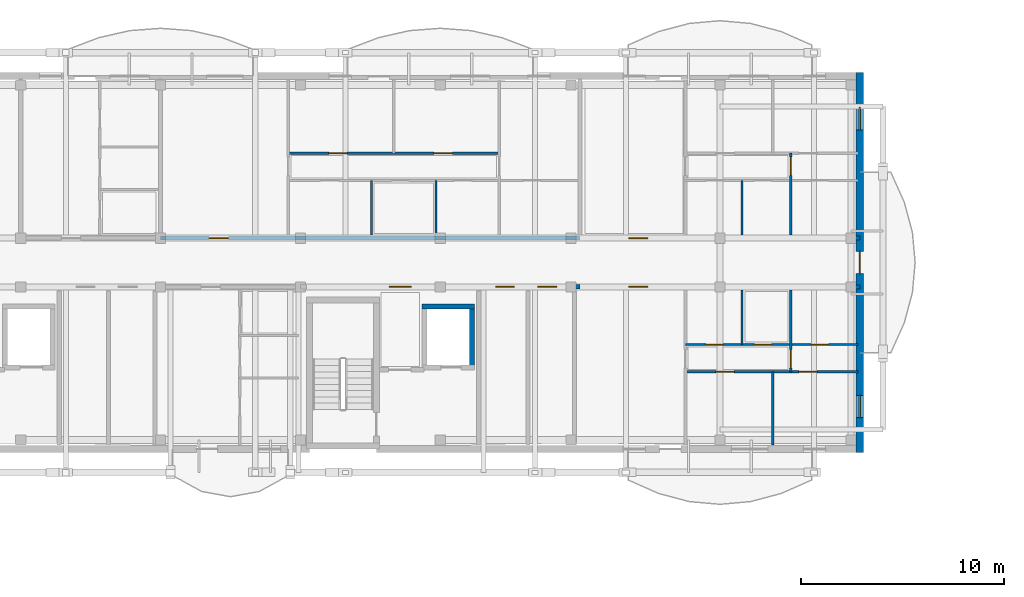
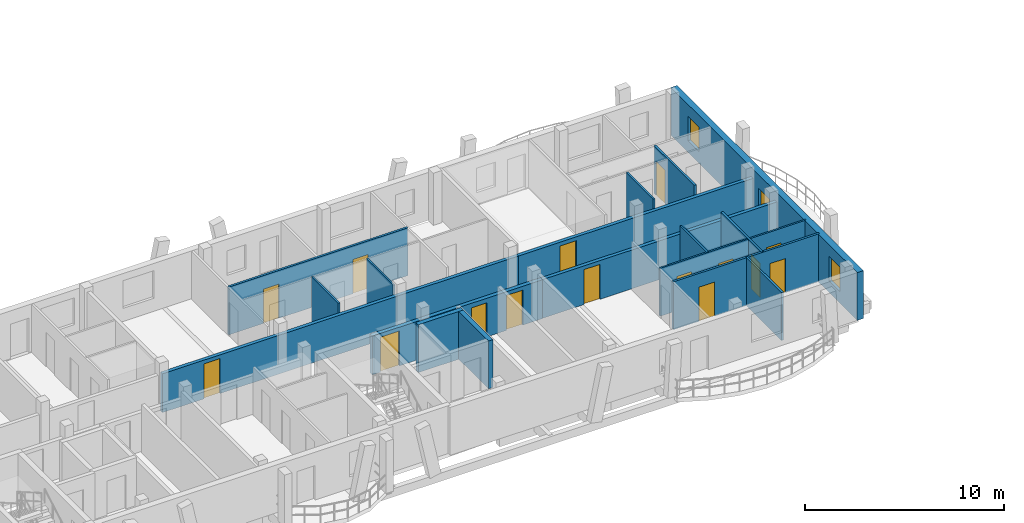
# One storey, part 27 of 50: 17 walls, 16 doors, 2 windows, 18 openings.
"""IFC4 building model written with IfcOpenShell, lengths in metres."""

from ifc_helpers import new_model, si_unit, direction, frame, frame_2d, origin, origin_with_axes, place, context, subcontext, project, spatial, rectangle, extrude, material, layer, layer_set, type_object, element, fill, save


model = new_model("IFC4")

# Units and contexts
model_context = context("Model", 3, precision=1e-05, world=origin(), true_north=direction((0.0, 1.0)))
body_context = subcontext(model_context, "Body", "Model", "MODEL_VIEW")
ifc_project = project(units=[si_unit("LENGTHUNIT", "METRE"), si_unit("AREAUNIT", "SQUARE_METRE"), si_unit("VOLUMEUNIT", "CUBIC_METRE"), si_unit("PLANEANGLEUNIT", "RADIAN"), si_unit("MASSUNIT", "GRAM", prefix="KILO")], contexts=[model_context])

# Site, building, storey
site_placement = place(None, origin())
site = spatial("IfcSite", under=ifc_project, at=site_placement, CompositionType="ELEMENT")
building_placement = place(site_placement, origin())
building = spatial("IfcBuilding", under=site, at=building_placement, Name="Zavelmont Quarter", CompositionType="ELEMENT")
storey_placement = place(building_placement, frame((0.0, 0.0, 11.199951171875)))
storey = spatial("IfcBuildingStorey", under=building, at=storey_placement, Name="L03", CompositionType="ELEMENT", Elevation=11.199951171875)

# Wall, openings, door, windows
ifc_material_1 = material(Name="Natural Belgian limestone", Category="masonry")
ifc_layer_1 = layer(ifc_material_1, 0.360107421875)
ifc_layer_set_1 = layer_set([ifc_layer_1], Name="Natural Belgian limestone")
wall_type_1 = type_object("IfcWallType", Name="EW02", PredefinedType="STANDARD", material=ifc_layer_set_1)
wall_1_placement = place(storey_placement, frame((55.199951171875, 97.419921875, 0.0), z_axis=(0.0, 0.0, 1.0), x_axis=(0.0, 1.0, 0.0)))
wall_1 = element("IfcWall", 1, at=wall_1_placement, inside=storey, type_object=wall_type_1, Name="L03 exterior limestone wall EW02", PredefinedType="STANDARD", context=body_context, shape_type="SweptSolid", body=[
    extrude(rectangle(XDim=18.760009765625, YDim=0.360107421875, at=frame_2d((9.3798828125, 0.0))), origin(), (0.0, 0.0, 1.0), 2.93994140625),
])
opening_1_placement = place(wall_1_placement, frame((8.830078125, 0.0, 0.0)))
opening_1 = element("IfcOpeningElement", 2, at=opening_1_placement, cuts=wall_1, Name="Opening DR04B", PredefinedType="OPENING", context=body_context, shape_type="SweptSolid", body=[
    extrude(rectangle(XDim=1.10009765625, YDim=2.10009765625, at=frame_2d((0.550048828125, 1.050048828125))), frame((0.0, 0.19189453125, 0.0), z_axis=(0.0, -1.0, 0.0), x_axis=(1.0, 0.0, 0.0)), (0.0, 0.0, 1.0), 0.384033203125),
])
opening_2_placement = place(wall_1_placement, frame((1.72998046875, 0.0, 0.719970703125)))
opening_2 = element("IfcOpeningElement", 3, at=opening_2_placement, cuts=wall_1, Name="Opening WN09", PredefinedType="OPENING", context=body_context, shape_type="SweptSolid", body=[
    extrude(rectangle(XDim=1.10009765625, YDim=1.5, at=frame_2d((0.550048828125, 0.75))), frame((0.0, 0.19189453125, 0.0), z_axis=(0.0, -1.0, 0.0), x_axis=(1.0, 0.0, 0.0)), (0.0, 0.0, 1.0), 0.384033203125),
])
opening_3_placement = place(wall_1_placement, frame((15.929931640625, 0.0, 0.719970703125)))
opening_3 = element("IfcOpeningElement", 4, at=opening_3_placement, cuts=wall_1, Name="Opening WN09", PredefinedType="OPENING", context=body_context, shape_type="SweptSolid", body=[
    extrude(rectangle(XDim=1.10009765625, YDim=1.5, at=frame_2d((0.550048828125, 0.75))), frame((0.0, 0.19189453125, 0.0), z_axis=(0.0, -1.0, 0.0), x_axis=(1.0, 0.0, 0.0)), (0.0, 0.0, 1.0), 0.384033203125),
])
ifc_material_2 = material(Name="Thermally broken aluminium and double safety glass", Category="aluminium")
door_type_1 = type_object("IfcDoorType", Name="DR04B", OperationType="NOTDEFINED", PredefinedType="DOOR", material=ifc_material_2)
door_1_placement = place(opening_1_placement, origin_with_axes())
door_1 = element("IfcDoor", 5, at=door_1_placement, inside=storey, type_object=door_type_1, Name="Block B L03 terrace or vase balcony door", OperationType="SINGLE_SWING_RIGHT", OverallHeight=2.10009765625, OverallWidth=1.10009765625, PredefinedType="DOOR", context=body_context, shape_type="SweptSolid", body=[
    extrude(rectangle(XDim=1.10009765625, YDim=2.10009765625, at=frame_2d((0.550048828125, 1.050048828125))), frame((0.0, 0.02490234375, 0.0), z_axis=(0.0, -1.0, 0.0), x_axis=(1.0, 0.0, 0.0)), (0.0, 0.0, 1.0), 0.050048828125),
])
fill(opening_1, door_1)
ifc_material_3 = material(Name="Double low-E insulated glazing in thermally broken aluminium frame", Category="aluminium")
window_type = type_object("IfcWindowType", Name="WN09", PartitioningType="SINGLE_PANEL", PredefinedType="WINDOW", material=ifc_material_3)
window_1_placement = place(opening_2_placement, origin_with_axes())
window_1 = element("IfcWindow", 6, at=window_1_placement, inside=storey, type_object=window_type, Name="L03 window WN09", OverallHeight=1.5, OverallWidth=1.10009765625, PartitioningType="SINGLE_PANEL", PredefinedType="WINDOW", context=body_context, shape_type="SweptSolid", body=[
    extrude(rectangle(XDim=1.10009765625, YDim=1.5, at=frame_2d((0.550048828125, 0.75))), frame((0.0, 0.030029296875, 0.0), z_axis=(0.0, -1.0, 0.0), x_axis=(1.0, 0.0, 0.0)), (0.0, 0.0, 1.0), 0.06005859375),
])
fill(opening_2, window_1)
window_2_placement = place(opening_3_placement, origin_with_axes())
window_2 = element("IfcWindow", 7, at=window_2_placement, inside=storey, type_object=window_type, Name="L03 window WN09", OverallHeight=1.5, OverallWidth=1.10009765625, PartitioningType="SINGLE_PANEL", PredefinedType="WINDOW", context=body_context, shape_type="SweptSolid", body=[
    extrude(rectangle(XDim=1.10009765625, YDim=1.5, at=frame_2d((0.550048828125, 0.75))), frame((0.0, 0.030029296875, 0.0), z_axis=(0.0, -1.0, 0.0), x_axis=(1.0, 0.0, 0.0)), (0.0, 0.0, 1.0), 0.06005859375),
])
fill(opening_3, window_2)

# Wall, opening, door
ifc_material_4 = material(Name="Calcium-silicate blockwork and acoustic plaster", Category="masonry")
ifc_layer_2 = layer(ifc_material_4, 0.199951171875)
ifc_layer_set_2 = layer_set([ifc_layer_2], Name="Calcium-silicate blockwork and acoustic plaster")
wall_type_2 = type_object("IfcWallType", Name="IW01", PredefinedType="PARTITIONING", material=ifc_layer_set_2)
wall_2_placement = place(storey_placement, frame((20.699951171875, 108.0, 0.0), z_axis=(0.0, 0.0, 1.0), x_axis=(1.0, 0.0, 0.0)))
wall_2 = element("IfcWall", 8, at=wall_2_placement, inside=storey, type_object=wall_type_2, Name="L03 Corridor compartment wall IW01", PredefinedType="PARTITIONING", context=body_context, shape_type="SweptSolid", body=[
    extrude(rectangle(XDim=20.699951171875, YDim=0.199951171875, at=frame_2d((10.35009765625, 0.0))), origin(), (0.0, 0.0, 1.0), 2.380126953125),
])
opening_4_placement = place(wall_2_placement, frame((2.39990234375, 0.0, 0.0)))
opening_4 = element("IfcOpeningElement", 9, at=opening_4_placement, cuts=wall_2, Name="Opening DR02", PredefinedType="OPENING", context=body_context, shape_type="SweptSolid", body=[
    extrude(rectangle(XDim=0.949951171875, YDim=2.14990234375, at=frame_2d((0.47509765625, 1.074951171875))), frame((0.0, 0.11181640625, 0.0), z_axis=(0.0, -1.0, 0.0), x_axis=(1.0, 0.0, 0.0)), (0.0, 0.0, 1.0), 0.223876953125),
])
ifc_material_5 = material(Name="Solid-core oak fire leaf in steel frame", Category="steel")
door_type_2 = type_object("IfcDoorType", Name="DR02", OperationType="NOTDEFINED", PredefinedType="DOOR", material=ifc_material_5)
door_2_placement = place(opening_4_placement, origin_with_axes())
door_2 = element("IfcDoor", 10, at=door_2_placement, inside=storey, type_object=door_type_2, Name="L03 door DR02", OperationType="SINGLE_SWING_RIGHT", OverallHeight=2.14990234375, OverallWidth=0.949951171875, PredefinedType="DOOR", context=body_context, shape_type="SweptSolid", body=[
    extrude(rectangle(XDim=0.949951171875, YDim=2.14990234375, at=frame_2d((0.47509765625, 1.074951171875))), frame((0.0, 0.02490234375, 0.0), z_axis=(0.0, -1.0, 0.0), x_axis=(1.0, 0.0, 0.0)), (0.0, 0.0, 1.0), 0.050048828125),
])
fill(opening_4, door_2)

wall_3_placement = place(storey_placement, frame((41.39990234375, 108.0, 0.0), z_axis=(0.0, 0.0, 1.0), x_axis=(1.0, 0.0, 0.0)))
wall_3 = element("IfcWall", 11, at=wall_3_placement, inside=storey, type_object=wall_type_2, Name="L03 Corridor compartment wall IW01", PredefinedType="PARTITIONING", context=body_context, shape_type="SweptSolid", body=[
    extrude(rectangle(XDim=13.800048828125, YDim=0.199951171875, at=frame_2d((6.89990234375, 0.0))), origin(), (0.0, 0.0, 1.0), 2.380126953125),
])
opening_5_placement = place(wall_3_placement, frame((2.39990234375, 0.0, 0.0)))
opening_5 = element("IfcOpeningElement", 12, at=opening_5_placement, cuts=wall_3, Name="Opening DR02", PredefinedType="OPENING", context=body_context, shape_type="SweptSolid", body=[
    extrude(rectangle(XDim=0.949951171875, YDim=2.14990234375, at=frame_2d((0.47509765625, 1.074951171875))), frame((0.0, 0.11181640625, 0.0), z_axis=(0.0, -1.0, 0.0), x_axis=(1.0, 0.0, 0.0)), (0.0, 0.0, 1.0), 0.223876953125),
])
door_3_placement = place(opening_5_placement, origin_with_axes())
door_3 = element("IfcDoor", 13, at=door_3_placement, inside=storey, type_object=door_type_2, Name="L03 door DR02", OperationType="SINGLE_SWING_RIGHT", OverallHeight=2.14990234375, OverallWidth=0.949951171875, PredefinedType="DOOR", context=body_context, shape_type="SweptSolid", body=[
    extrude(rectangle(XDim=0.949951171875, YDim=2.14990234375, at=frame_2d((0.47509765625, 1.074951171875))), frame((0.0, 0.02490234375, 0.0), z_axis=(0.0, -1.0, 0.0), x_axis=(1.0, 0.0, 0.0)), (0.0, 0.0, 1.0), 0.050048828125),
])
fill(opening_5, door_3)

wall_4_placement = place(storey_placement, frame((41.39990234375, 105.60009765625, 0.0), z_axis=(0.0, 0.0, 1.0), x_axis=(1.0, 0.0, 0.0)))
wall_4 = element("IfcWall", 14, at=wall_4_placement, inside=storey, type_object=wall_type_2, Name="L03 Corridor compartment wall IW01", PredefinedType="PARTITIONING", context=body_context, shape_type="SweptSolid", body=[
    extrude(rectangle(XDim=13.800048828125, YDim=0.199951171875, at=frame_2d((6.89990234375, 0.0))), origin(), (0.0, 0.0, 1.0), 2.380126953125),
])
opening_6_placement = place(wall_4_placement, frame((2.39990234375, 0.0, 0.0)))
opening_6 = element("IfcOpeningElement", 15, at=opening_6_placement, cuts=wall_4, Name="Opening DR02", PredefinedType="OPENING", context=body_context, shape_type="SweptSolid", body=[
    extrude(rectangle(XDim=0.949951171875, YDim=2.14990234375, at=frame_2d((0.47509765625, 1.074951171875))), frame((0.0, 0.11181640625, 0.0), z_axis=(0.0, -1.0, 0.0), x_axis=(1.0, 0.0, 0.0)), (0.0, 0.0, 1.0), 0.223876953125),
])
door_4_placement = place(opening_6_placement, frame((0.949951171875, 0.0, 0.0), z_axis=(0.0, 0.0, 1.0), x_axis=(-1.0, 0.0, 0.0)))
door_4 = element("IfcDoor", 16, at=door_4_placement, inside=storey, type_object=door_type_2, Name="L03 door DR02", OperationType="SINGLE_SWING_RIGHT", OverallHeight=2.14990234375, OverallWidth=0.949951171875, PredefinedType="DOOR", context=body_context, shape_type="SweptSolid", body=[
    extrude(rectangle(XDim=0.949951171875, YDim=2.14990234375, at=frame_2d((0.47509765625, 1.074951171875))), frame((0.0, 0.02490234375, 0.0), z_axis=(0.0, -1.0, 0.0), x_axis=(1.0, 0.0, 0.0)), (0.0, 0.0, 1.0), 0.050048828125),
])
fill(opening_6, door_4)

# Wall, openings, doors
ifc_material_6 = material(Name="Reinforced masonry fire compartment wall", Category="masonry")
ifc_layer_3 = layer(ifc_material_6, 0.22509765625)
ifc_layer_set_3 = layer_set([ifc_layer_3], Name="Reinforced masonry fire compartment wall")
wall_type_3 = type_object("IfcWallType", Name="IW02", PredefinedType="PARTITIONING", material=ifc_layer_set_3)
wall_5_placement = place(storey_placement, frame((31.5, 105.60009765625, 0.0), z_axis=(0.0, 0.0, 1.0), x_axis=(1.0, 0.0, 0.0)))
wall_5 = element("IfcWall", 17, at=wall_5_placement, inside=storey, type_object=wall_type_3, Name="L03 Core corridor fire wall IW02", PredefinedType="PARTITIONING", context=body_context, shape_type="SweptSolid", body=[
    extrude(rectangle(XDim=9.89990234375, YDim=0.22509765625, at=frame_2d((4.949951171875, 0.0))), origin(), (0.0, 0.0, 1.0), 2.380126953125),
])
opening_7_placement = place(wall_5_placement, frame((0.47509765625, 0.0, 0.0)))
opening_7 = element("IfcOpeningElement", 18, at=opening_7_placement, cuts=wall_5, Name="Opening DR10", PredefinedType="OPENING", context=body_context, shape_type="SweptSolid", body=[
    extrude(rectangle(XDim=1.10009765625, YDim=2.14990234375, at=frame_2d((0.550048828125, 1.074951171875))), frame((0.0, 0.12451171875, 0.0), z_axis=(0.0, -1.0, 0.0), x_axis=(1.0, 0.0, 0.0)), (0.0, 0.0, 1.0), 0.2490234375),
])
opening_8_placement = place(wall_5_placement, frame((5.75, 0.0, 0.0)))
opening_8 = element("IfcOpeningElement", 19, at=opening_8_placement, cuts=wall_5, Name="Opening DR11", PredefinedType="OPENING", context=body_context, shape_type="SweptSolid", body=[
    extrude(rectangle(XDim=0.89990234375, YDim=2.10009765625, at=frame_2d((0.449951171875, 1.050048828125))), frame((0.0, 0.12451171875, 0.0), z_axis=(0.0, -1.0, 0.0), x_axis=(1.0, 0.0, 0.0)), (0.0, 0.0, 1.0), 0.2490234375),
])
opening_9_placement = place(wall_5_placement, frame((7.800048828125, 0.0, 0.0)))
opening_9 = element("IfcOpeningElement", 20, at=opening_9_placement, cuts=wall_5, Name="Opening DR02", PredefinedType="OPENING", context=body_context, shape_type="SweptSolid", body=[
    extrude(rectangle(XDim=0.949951171875, YDim=2.14990234375, at=frame_2d((0.47509765625, 1.074951171875))), frame((0.0, 0.12451171875, 0.0), z_axis=(0.0, -1.0, 0.0), x_axis=(1.0, 0.0, 0.0)), (0.0, 0.0, 1.0), 0.2490234375),
])
door_5_placement = place(opening_9_placement, origin_with_axes())
door_5 = element("IfcDoor", 21, at=door_5_placement, inside=storey, type_object=door_type_2, Name="Auxiliary store corridor door", OperationType="SINGLE_SWING_RIGHT", OverallHeight=2.14990234375, OverallWidth=0.949951171875, PredefinedType="DOOR", context=body_context, shape_type="SweptSolid", body=[
    extrude(rectangle(XDim=0.949951171875, YDim=2.14990234375, at=frame_2d((0.47509765625, 1.074951171875))), frame((0.0, 0.02490234375, 0.0), z_axis=(0.0, -1.0, 0.0), x_axis=(1.0, 0.0, 0.0)), (0.0, 0.0, 1.0), 0.050048828125),
])
fill(opening_9, door_5)
ifc_material_7 = material(Name="Painted steel lobby fire door", Category="steel")
door_type_3 = type_object("IfcDoorType", Name="DR10", OperationType="NOTDEFINED", PredefinedType="DOOR", material=ifc_material_7)
door_6_placement = place(opening_7_placement, frame((1.10009765625, 0.0, 0.0), z_axis=(0.0, 0.0, 1.0), x_axis=(-1.0, 0.0, 0.0)))
door_6 = element("IfcDoor", 22, at=door_6_placement, inside=storey, type_object=door_type_3, Name="Core vestibule fire door", OperationType="SINGLE_SWING_LEFT", OverallHeight=2.14990234375, OverallWidth=1.10009765625, PredefinedType="DOOR", context=body_context, shape_type="SweptSolid", body=[
    extrude(rectangle(XDim=1.10009765625, YDim=2.14990234375, at=frame_2d((0.550048828125, 1.074951171875))), frame((0.0, 0.02490234375, 0.0), z_axis=(0.0, -1.0, 0.0), x_axis=(1.0, 0.0, 0.0)), (0.0, 0.0, 1.0), 0.050048828125),
])
fill(opening_7, door_6)
ifc_material_8 = material(Name="Painted steel service-riser fire door", Category="steel")
door_type_4 = type_object("IfcDoorType", Name="DR11", OperationType="NOTDEFINED", PredefinedType="DOOR", material=ifc_material_8)
door_7_placement = place(opening_8_placement, origin_with_axes())
door_7 = element("IfcDoor", 23, at=door_7_placement, inside=storey, type_object=door_type_4, Name="Service riser fire door", OperationType="SINGLE_SWING_LEFT", OverallHeight=2.10009765625, OverallWidth=0.89990234375, PredefinedType="DOOR", context=body_context, shape_type="SweptSolid", body=[
    extrude(rectangle(XDim=0.89990234375, YDim=2.10009765625, at=frame_2d((0.449951171875, 1.050048828125))), frame((0.0, 0.02490234375, 0.0), z_axis=(0.0, -1.0, 0.0), x_axis=(1.0, 0.0, 0.0)), (0.0, 0.0, 1.0), 0.050048828125),
])
fill(opening_8, door_7)

ifc_material_9 = material(Name="Double gypsum board on acoustic steel stud", Category="steel")
ifc_layer_4 = layer(ifc_material_9, 0.125)
ifc_layer_set_4 = layer_set([ifc_layer_4], Name="Double gypsum board on acoustic steel stud")
wall_type_4 = type_object("IfcWallType", Name="IW03", PredefinedType="PARTITIONING", material=ifc_layer_set_4)
wall_6_placement = place(storey_placement, frame((27.0, 112.199951171875, 0.0), z_axis=(0.0, 0.0, 1.0), x_axis=(1.0, 0.0, 0.0)))
wall_6 = element("IfcWall", 24, at=wall_6_placement, inside=storey, type_object=wall_type_4, Name="L03 Partition IW03", PredefinedType="PARTITIONING", context=body_context, shape_type="SweptSolid", body=[
    extrude(rectangle(XDim=10.39990234375, YDim=0.125, at=frame_2d((5.199951171875, 0.0))), origin(), (0.0, 0.0, 1.0), 2.93994140625),
])
opening_10_placement = place(wall_6_placement, frame((2.0, 0.0, 0.0)))
opening_10 = element("IfcOpeningElement", 25, at=opening_10_placement, cuts=wall_6, Name="Opening DR05", PredefinedType="OPENING", context=body_context, shape_type="SweptSolid", body=[
    extrude(rectangle(XDim=0.89990234375, YDim=2.10009765625, at=frame_2d((0.449951171875, 1.050048828125))), frame((0.0, 0.074462890625, 0.0), z_axis=(0.0, -1.0, 0.0), x_axis=(1.0, 0.0, 0.0)), (0.0, 0.0, 1.0), 0.14892578125),
])
opening_11_placement = place(wall_6_placement, frame((7.199951171875, 0.0, 0.0)))
opening_11 = element("IfcOpeningElement", 26, at=opening_11_placement, cuts=wall_6, Name="Opening DR05", PredefinedType="OPENING", context=body_context, shape_type="SweptSolid", body=[
    extrude(rectangle(XDim=0.89990234375, YDim=2.10009765625, at=frame_2d((0.449951171875, 1.050048828125))), frame((0.0, 0.074462890625, 0.0), z_axis=(0.0, -1.0, 0.0), x_axis=(1.0, 0.0, 0.0)), (0.0, 0.0, 1.0), 0.14892578125),
])
ifc_material_10 = material(Name="Engineered oak flush interior door")
door_type_5 = type_object("IfcDoorType", Name="DR05", OperationType="NOTDEFINED", PredefinedType="DOOR", material=ifc_material_10)
door_8_placement = place(opening_10_placement, origin_with_axes())
door_8 = element("IfcDoor", 27, at=door_8_placement, inside=storey, type_object=door_type_5, Name="L03 door DR05", OperationType="SINGLE_SWING_RIGHT", OverallHeight=2.10009765625, OverallWidth=0.89990234375, PredefinedType="DOOR", context=body_context, shape_type="SweptSolid", body=[
    extrude(rectangle(XDim=0.89990234375, YDim=2.10009765625, at=frame_2d((0.449951171875, 1.050048828125))), frame((0.0, 0.02490234375, 0.0), z_axis=(0.0, -1.0, 0.0), x_axis=(1.0, 0.0, 0.0)), (0.0, 0.0, 1.0), 0.050048828125),
])
fill(opening_10, door_8)
door_9_placement = place(opening_11_placement, frame((0.89990234375, 0.0, 0.0), z_axis=(0.0, 0.0, 1.0), x_axis=(-1.0, 0.0, 0.0)))
door_9 = element("IfcDoor", 28, at=door_9_placement, inside=storey, type_object=door_type_5, Name="L03 door DR05", OperationType="SINGLE_SWING_LEFT", OverallHeight=2.10009765625, OverallWidth=0.89990234375, PredefinedType="DOOR", context=body_context, shape_type="SweptSolid", body=[
    extrude(rectangle(XDim=0.89990234375, YDim=2.10009765625, at=frame_2d((0.449951171875, 1.050048828125))), frame((0.0, 0.02490234375, 0.0), z_axis=(0.0, -1.0, 0.0), x_axis=(1.0, 0.0, 0.0)), (0.0, 0.0, 1.0), 0.050048828125),
])
fill(opening_11, door_9)

# Wall, opening, door
wall_7_placement = place(storey_placement, frame((51.800048828125, 108.14990234375, 0.0), z_axis=(0.0, 0.0, 1.0), x_axis=(0.0, 1.0, 0.0)))
wall_7 = element("IfcWall", 29, at=wall_7_placement, inside=storey, type_object=wall_type_4, Name="L03 Partition IW03", PredefinedType="PARTITIONING", context=body_context, shape_type="SweptSolid", body=[
    extrude(rectangle(XDim=4.050048828125, YDim=0.125, at=frame_2d((2.02490234375, 0.0))), origin(), (0.0, 0.0, 1.0), 2.93994140625),
])
opening_12_placement = place(wall_7_placement, frame((2.949951171875, 0.0, 0.0)))
opening_12 = element("IfcOpeningElement", 30, at=opening_12_placement, cuts=wall_7, Name="Opening DR05", PredefinedType="OPENING", context=body_context, shape_type="SweptSolid", body=[
    extrude(rectangle(XDim=0.89990234375, YDim=2.10009765625, at=frame_2d((0.449951171875, 1.050048828125))), frame((0.0, 0.074462890625, 0.0), z_axis=(0.0, -1.0, 0.0), x_axis=(1.0, 0.0, 0.0)), (0.0, 0.0, 1.0), 0.14892578125),
])
door_10_placement = place(opening_12_placement, origin_with_axes())
door_10 = element("IfcDoor", 31, at=door_10_placement, inside=storey, type_object=door_type_5, Name="L03 door DR05", OperationType="SINGLE_SWING_LEFT", OverallHeight=2.10009765625, OverallWidth=0.89990234375, PredefinedType="DOOR", context=body_context, shape_type="SweptSolid", body=[
    extrude(rectangle(XDim=0.89990234375, YDim=2.10009765625, at=frame_2d((0.449951171875, 1.050048828125))), frame((0.0, 0.02490234375, 0.0), z_axis=(0.0, -1.0, 0.0), x_axis=(1.0, 0.0, 0.0)), (0.0, 0.0, 1.0), 0.050048828125),
])
fill(opening_12, door_10)

wall_8_placement = place(storey_placement, frame((51.800048828125, 105.449951171875, 0.0), z_axis=(0.0, 0.0, 1.0), x_axis=(0.0, -1.0, 0.0)))
wall_8 = element("IfcWall", 32, at=wall_8_placement, inside=storey, type_object=wall_type_4, Name="L03 Partition IW03", PredefinedType="PARTITIONING", context=body_context, shape_type="SweptSolid", body=[
    extrude(rectangle(XDim=4.050048828125, YDim=0.125, at=frame_2d((2.02490234375, 0.0))), origin(), (0.0, 0.0, 1.0), 2.93994140625),
])
opening_13_placement = place(wall_8_placement, frame((2.949951171875, 0.0, 0.0)))
opening_13 = element("IfcOpeningElement", 33, at=opening_13_placement, cuts=wall_8, Name="Opening DR05", PredefinedType="OPENING", context=body_context, shape_type="SweptSolid", body=[
    extrude(rectangle(XDim=0.89990234375, YDim=2.10009765625, at=frame_2d((0.449951171875, 1.050048828125))), frame((0.0, 0.074462890625, 0.0), z_axis=(0.0, -1.0, 0.0), x_axis=(1.0, 0.0, 0.0)), (0.0, 0.0, 1.0), 0.14892578125),
])
door_11_placement = place(opening_13_placement, frame((0.89990234375, 0.0, 0.0), z_axis=(0.0, 0.0, 1.0), x_axis=(-1.0, 0.0, 0.0)))
door_11 = element("IfcDoor", 34, at=door_11_placement, inside=storey, type_object=door_type_5, Name="L03 door DR05", OperationType="SINGLE_SWING_LEFT", OverallHeight=2.10009765625, OverallWidth=0.89990234375, PredefinedType="DOOR", context=body_context, shape_type="SweptSolid", body=[
    extrude(rectangle(XDim=0.89990234375, YDim=2.10009765625, at=frame_2d((0.449951171875, 1.050048828125))), frame((0.0, 0.02490234375, 0.0), z_axis=(0.0, -1.0, 0.0), x_axis=(1.0, 0.0, 0.0)), (0.0, 0.0, 1.0), 0.050048828125),
])
fill(opening_13, door_11)

# Wall
wall_9_placement = place(storey_placement, frame((50.89990234375, 101.39990234375, 0.0), z_axis=(0.0, 0.0, 1.0), x_axis=(0.0, -1.0, 0.0)))
element("IfcWall", 35, at=wall_9_placement, inside=storey, type_object=wall_type_4, Name="L03 Partition IW03", PredefinedType="PARTITIONING", context=body_context, shape_type="SweptSolid", body=[
    extrude(rectangle(XDim=3.599853515625, YDim=0.125, at=frame_2d((1.7998046875, 0.0))), origin(), (0.0, 0.0, 1.0), 2.93994140625),
])

# Wall, openings, doors
wall_10_placement = place(storey_placement, frame((46.60009765625, 101.39990234375, 0.0), z_axis=(0.0, 0.0, 1.0), x_axis=(1.0, 0.0, 0.0)))
wall_10 = element("IfcWall", 36, at=wall_10_placement, inside=storey, type_object=wall_type_4, Name="L03 Partition IW03", PredefinedType="PARTITIONING", context=body_context, shape_type="SweptSolid", body=[
    extrude(rectangle(XDim=8.5, YDim=0.125, at=frame_2d((4.25, 0.0))), origin(), (0.0, 0.0, 1.0), 2.93994140625),
])
opening_14_placement = place(wall_10_placement, frame((1.5, 0.0, 0.0)))
opening_14 = element("IfcOpeningElement", 37, at=opening_14_placement, cuts=wall_10, Name="Opening DR05", PredefinedType="OPENING", context=body_context, shape_type="SweptSolid", body=[
    extrude(rectangle(XDim=0.89990234375, YDim=2.10009765625, at=frame_2d((0.449951171875, 1.050048828125))), frame((0.0, 0.074462890625, 0.0), z_axis=(0.0, -1.0, 0.0), x_axis=(1.0, 0.0, 0.0)), (0.0, 0.0, 1.0), 0.14892578125),
])
opening_15_placement = place(wall_10_placement, frame((5.60009765625, 0.0, 0.0)))
opening_15 = element("IfcOpeningElement", 38, at=opening_15_placement, cuts=wall_10, Name="Opening DR05", PredefinedType="OPENING", context=body_context, shape_type="SweptSolid", body=[
    extrude(rectangle(XDim=0.89990234375, YDim=2.10009765625, at=frame_2d((0.449951171875, 1.050048828125))), frame((0.0, 0.074462890625, 0.0), z_axis=(0.0, -1.0, 0.0), x_axis=(1.0, 0.0, 0.0)), (0.0, 0.0, 1.0), 0.14892578125),
])
door_12_placement = place(opening_14_placement, frame((0.89990234375, 0.0, 0.0), z_axis=(0.0, 0.0, 1.0), x_axis=(-1.0, 0.0, 0.0)))
door_12 = element("IfcDoor", 39, at=door_12_placement, inside=storey, type_object=door_type_5, Name="L03 door DR05", OperationType="SINGLE_SWING_LEFT", OverallHeight=2.10009765625, OverallWidth=0.89990234375, PredefinedType="DOOR", context=body_context, shape_type="SweptSolid", body=[
    extrude(rectangle(XDim=0.89990234375, YDim=2.10009765625, at=frame_2d((0.449951171875, 1.050048828125))), frame((0.0, 0.02490234375, 0.0), z_axis=(0.0, -1.0, 0.0), x_axis=(1.0, 0.0, 0.0)), (0.0, 0.0, 1.0), 0.050048828125),
])
fill(opening_14, door_12)
door_13_placement = place(opening_15_placement, origin_with_axes())
door_13 = element("IfcDoor", 40, at=door_13_placement, inside=storey, type_object=door_type_5, Name="L03 door DR05", OperationType="SINGLE_SWING_RIGHT", OverallHeight=2.10009765625, OverallWidth=0.89990234375, PredefinedType="DOOR", context=body_context, shape_type="SweptSolid", body=[
    extrude(rectangle(XDim=0.89990234375, YDim=2.10009765625, at=frame_2d((0.449951171875, 1.050048828125))), frame((0.0, 0.02490234375, 0.0), z_axis=(0.0, -1.0, 0.0), x_axis=(1.0, 0.0, 0.0)), (0.0, 0.0, 1.0), 0.050048828125),
])
fill(opening_15, door_13)

# Walls
ifc_material_11 = material(Name="Moisture-resistant gypsum board on steel stud", Category="steel")
ifc_layer_5 = layer(ifc_material_11, 0.10009765625)
ifc_layer_set_5 = layer_set([ifc_layer_5], Name="Moisture-resistant gypsum board on steel stud")
wall_type_5 = type_object("IfcWallType", Name="IW04", PredefinedType="PARTITIONING", material=ifc_layer_set_5)
for number, where, z_axis, x_axis, name in (
    (41, (31.10009765625, 108.14990234375, 0.0), (0.0, 0.0, 1.0), (0.0, 1.0, 0.0), "L03 Partition IW04"),
    (42, (34.300048828125, 108.14990234375, 0.0), (0.0, 0.0, 1.0), (0.0, 1.0, 0.0), "L03 Partition IW04"),
    (43, (49.39990234375, 108.14990234375, 0.0), (0.0, 0.0, 1.0), (0.0, 1.0, 0.0), "L03 Partition IW04"),
):
    element("IfcWall", number, at=place(storey_placement, frame(where, z_axis=z_axis, x_axis=x_axis)), inside=storey, type_object=wall_type_5, Name=name, PredefinedType="PARTITIONING", context=body_context, shape_type="SweptSolid", body=[
        extrude(rectangle(XDim=2.7001953125, YDim=0.10009765625, at=frame_2d((1.35009765625, 0.0))), origin(), (0.0, 0.0, 1.0), 2.93994140625),
    ])
wall_11_placement = place(storey_placement, frame((49.39990234375, 105.449951171875, 0.0), z_axis=(0.0, 0.0, 1.0), x_axis=(0.0, -1.0, 0.0)))
element("IfcWall", 44, at=wall_11_placement, inside=storey, type_object=wall_type_5, Name="L03 Partition IW04", PredefinedType="PARTITIONING", context=body_context, shape_type="SweptSolid", body=[
    extrude(rectangle(XDim=2.699951171875, YDim=0.10009765625, at=frame_2d((1.35009765625, 0.0))), origin(), (0.0, 0.0, 1.0), 2.93994140625),
])

# Wall, openings, doors
wall_12_placement = place(storey_placement, frame((46.60009765625, 102.75, 0.0), z_axis=(0.0, 0.0, 1.0), x_axis=(1.0, 0.0, 0.0)))
wall_12 = element("IfcWall", 45, at=wall_12_placement, inside=storey, type_object=wall_type_5, Name="L03 Partition IW04", PredefinedType="PARTITIONING", context=body_context, shape_type="SweptSolid", body=[
    extrude(rectangle(XDim=8.5, YDim=0.10009765625, at=frame_2d((4.25, 0.0))), origin(), (0.0, 0.0, 1.0), 2.93994140625),
])
opening_16_placement = place(wall_12_placement, frame((1.0, 0.0, 0.0)))
opening_16 = element("IfcOpeningElement", 46, at=opening_16_placement, cuts=wall_12, Name="Opening DR16", PredefinedType="OPENING", context=body_context, shape_type="SweptSolid", body=[
    extrude(rectangle(XDim=0.85009765625, YDim=2.10009765625, at=frame_2d((0.425048828125, 1.050048828125))), frame((0.0, 0.06201171875, 0.0), z_axis=(0.0, -1.0, 0.0), x_axis=(1.0, 0.0, 0.0)), (0.0, 0.0, 1.0), 0.1240234375),
])
opening_17_placement = place(wall_12_placement, frame((3.39990234375, 0.0, 0.0)))
opening_17 = element("IfcOpeningElement", 47, at=opening_17_placement, cuts=wall_12, Name="Opening DR06", PredefinedType="OPENING", context=body_context, shape_type="SweptSolid", body=[
    extrude(rectangle(XDim=0.85009765625, YDim=2.050048828125, at=frame_2d((0.425048828125, 1.02490234375))), frame((0.0, 0.06201171875, 0.0), z_axis=(0.0, -1.0, 0.0), x_axis=(1.0, 0.0, 0.0)), (0.0, 0.0, 1.0), 0.1240234375),
])
opening_18_placement = place(wall_12_placement, frame((6.199951171875, 0.0, 0.0)))
opening_18 = element("IfcOpeningElement", 48, at=opening_18_placement, cuts=wall_12, Name="Opening DR06", PredefinedType="OPENING", context=body_context, shape_type="SweptSolid", body=[
    extrude(rectangle(XDim=0.85009765625, YDim=2.050048828125, at=frame_2d((0.425048828125, 1.02490234375))), frame((0.0, 0.06201171875, 0.0), z_axis=(0.0, -1.0, 0.0), x_axis=(1.0, 0.0, 0.0)), (0.0, 0.0, 1.0), 0.1240234375),
])
ifc_material_12 = material(Name="Moisture-resistant painted wet-room door")
door_type_6 = type_object("IfcDoorType", Name="DR06", OperationType="NOTDEFINED", PredefinedType="DOOR", material=ifc_material_12)
door_14_placement = place(opening_17_placement, frame((0.85009765625, 0.0, 0.0), z_axis=(0.0, 0.0, 1.0), x_axis=(-1.0, 0.0, 0.0)))
door_14 = element("IfcDoor", 49, at=door_14_placement, inside=storey, type_object=door_type_6, Name="L03 door DR06", OperationType="SINGLE_SWING_LEFT", OverallHeight=2.050048828125, OverallWidth=0.85009765625, PredefinedType="DOOR", context=body_context, shape_type="SweptSolid", body=[
    extrude(rectangle(XDim=0.85009765625, YDim=2.050048828125, at=frame_2d((0.425048828125, 1.02490234375))), frame((0.0, 0.02490234375, 0.0), z_axis=(0.0, -1.0, 0.0), x_axis=(1.0, 0.0, 0.0)), (0.0, 0.0, 1.0), 0.050048828125),
])
fill(opening_17, door_14)
door_15_placement = place(opening_18_placement, origin_with_axes())
door_15 = element("IfcDoor", 50, at=door_15_placement, inside=storey, type_object=door_type_6, Name="L03 door DR06", OperationType="SINGLE_SWING_RIGHT", OverallHeight=2.050048828125, OverallWidth=0.85009765625, PredefinedType="DOOR", context=body_context, shape_type="SweptSolid", body=[
    extrude(rectangle(XDim=0.85009765625, YDim=2.050048828125, at=frame_2d((0.425048828125, 1.02490234375))), frame((0.0, 0.02490234375, 0.0), z_axis=(0.0, -1.0, 0.0), x_axis=(1.0, 0.0, 0.0)), (0.0, 0.0, 1.0), 0.050048828125),
])
fill(opening_18, door_15)
door_type_7 = type_object("IfcDoorType", Name="DR16", OperationType="NOTDEFINED", PredefinedType="DOOR", material=ifc_material_10)
door_16_placement = place(opening_16_placement, origin_with_axes())
door_16 = element("IfcDoor", 51, at=door_16_placement, inside=storey, type_object=door_type_7, Name="L03 door DR16", OperationType="SINGLE_SWING_RIGHT", OverallHeight=2.10009765625, OverallWidth=0.85009765625, PredefinedType="DOOR", context=body_context, shape_type="SweptSolid", body=[
    extrude(rectangle(XDim=0.85009765625, YDim=2.10009765625, at=frame_2d((0.425048828125, 1.050048828125))), frame((0.0, 0.02490234375, 0.0), z_axis=(0.0, -1.0, 0.0), x_axis=(1.0, 0.0, 0.0)), (0.0, 0.0, 1.0), 0.050048828125),
])
fill(opening_16, door_16)

# Walls
ifc_material_13 = material(Name="Concrete C40/50", Category="concrete")
ifc_layer_6 = layer(ifc_material_13, 0.25)
ifc_layer_set_6 = layer_set([ifc_layer_6], Name="Concrete C40/50")
wall_type_6 = type_object("IfcWallType", Name="SW02", PredefinedType="SHEAR", material=ifc_layer_set_6)
wall_13_placement = place(storey_placement, frame((33.60009765625, 104.625, 0.0), z_axis=(0.0, 0.0, 1.0), x_axis=(1.0, 0.0, 0.0)))
element("IfcWall", 52, at=wall_13_placement, inside=storey, type_object=wall_type_6, Name="L03 Lift LF04 back shaft wall SW02", PredefinedType="SHEAR", context=body_context, shape_type="SweptSolid", body=[
    extrude(rectangle(XDim=2.599853515625, YDim=0.25, at=frame_2d((1.2998046875, 0.0))), origin(), (0.0, 0.0, 1.0), 2.93994140625),
])
wall_14_placement = place(storey_placement, frame((36.074951171875, 101.5, 0.0), z_axis=(0.0, 0.0, 1.0), x_axis=(0.0, 1.0, 0.0)))
element("IfcWall", 53, at=wall_14_placement, inside=storey, type_object=wall_type_6, Name="L03 Lift LF04 east shaft wall SW02", PredefinedType="SHEAR", context=body_context, shape_type="SweptSolid", body=[
    extrude(rectangle(XDim=3.25, YDim=0.25, at=frame_2d((1.625, 0.0))), origin(), (0.0, 0.0, 1.0), 2.93994140625),
])

save(model, "model.ifc")
